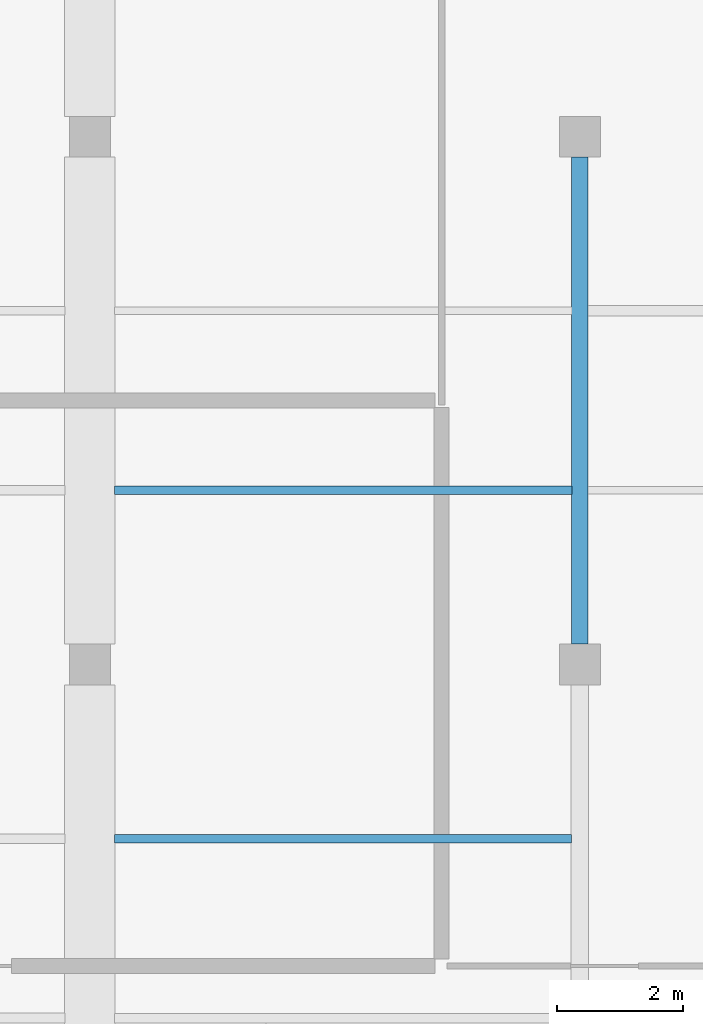
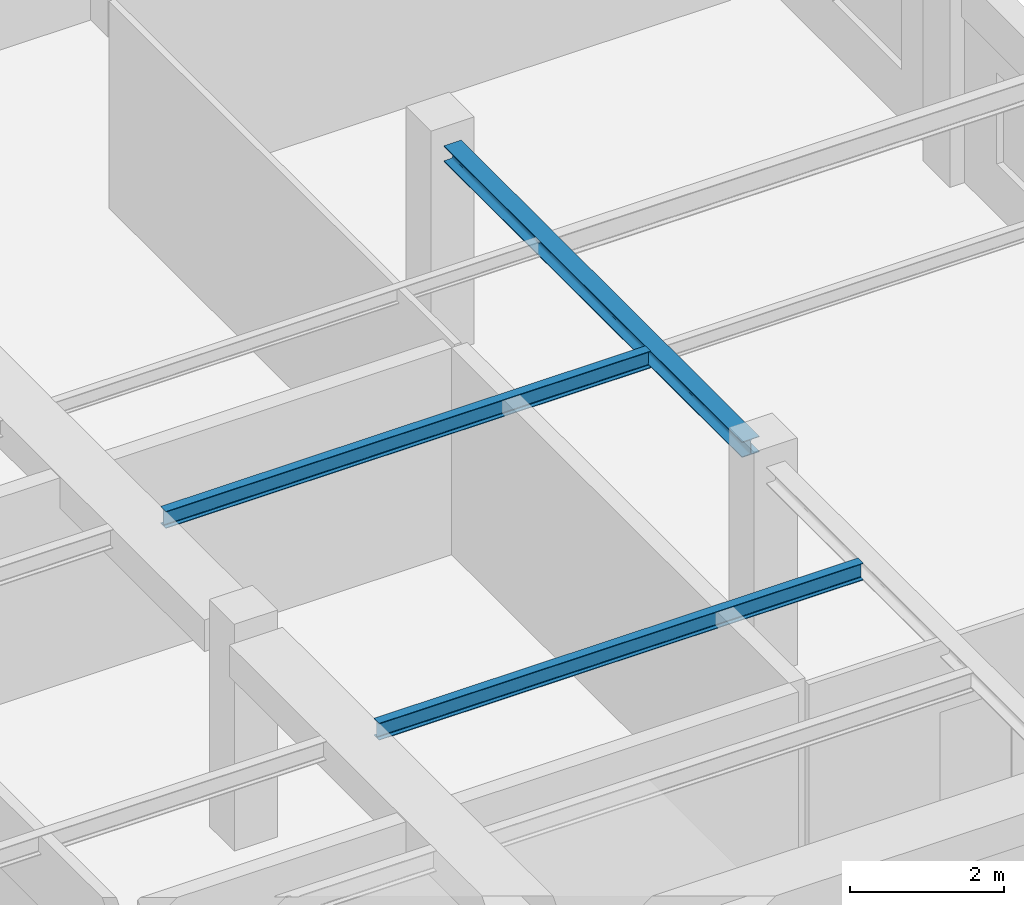
# One storey, part 10 of 49: 3 beams.
"""IFC4 building model written with IfcOpenShell, lengths in metres."""

from ifc_helpers import new_model, si_unit, direction, frame, origin, origin_2d, place, context, subcontext, project, spatial, i_section, extrude, material, material_profile, profile_set, type_object, element, save


model = new_model("IFC4")

# Units and contexts
model_context = context("Model", 3, precision=1e-05, world=origin(), true_north=direction((0.0, 1.0)))
body_context = subcontext(model_context, "Body", "Model", "MODEL_VIEW")
ifc_project = project(units=[si_unit("LENGTHUNIT", "METRE"), si_unit("AREAUNIT", "SQUARE_METRE"), si_unit("VOLUMEUNIT", "CUBIC_METRE"), si_unit("PLANEANGLEUNIT", "RADIAN"), si_unit("MASSUNIT", "GRAM", prefix="KILO"), si_unit("THERMODYNAMICTEMPERATUREUNIT", "KELVIN"), si_unit("POWERUNIT", "WATT")], contexts=[model_context])

# Site, building, storey
site_placement = place(None, origin())
site = spatial("IfcSite", under=ifc_project, at=site_placement, CompositionType="ELEMENT")
building_placement = place(site_placement, origin())
building = spatial("IfcBuilding", under=site, at=building_placement, Name="Srebrne Nadtorze General Hospital", CompositionType="ELEMENT")
storey_placement = place(building_placement, frame((0.0, 0.0, 26.10009765625)))
storey = spatial("IfcBuildingStorey", under=building, at=storey_placement, Name="L06", CompositionType="ELEMENT", Elevation=26.10009765625)

# Beams
ifc_material_1 = material(Name="Steel S355J2", Category="steel")
ifc_material_profile_1 = material_profile(ifc_material_1, i_section(OverallWidth=0.260009765625, OverallDepth=0.25, WebThickness=0.007568359375, FlangeThickness=0.012451171875, FilletRadius=0.02392578125, at=origin_2d()), Name="HEA-260")
ifc_profile_set_1 = profile_set([ifc_material_profile_1], Name="Steel S355J2")
beam_type_1 = type_object("IfcBeamType", Name="Primary beam HEA 260", PredefinedType="BEAM", material=ifc_profile_set_1)
beam_1_placement = place(storey_placement, frame((46.800048828125, 59.125, 3.1748046875), z_axis=(0.0, 1.0, 0.0), x_axis=(-1.0, 0.0, 0.0)))
element("IfcBeam", 1, at=beam_1_placement, inside=storey, type_object=beam_type_1, Name="Interstitial steel beam SB-L06-0099", PredefinedType="BEAM", context=body_context, shape_type="SweptSolid", body=[
    extrude(i_section(OverallWidth=0.260009765625, OverallDepth=0.25, WebThickness=0.007568359375, FlangeThickness=0.012451171875, FilletRadius=0.02392578125, at=origin_2d()), origin(), (0.0, 0.0, 1.0), 7.75),
])
ifc_material_2 = material(Name="Steel S355J2", Category="steel")
ifc_material_profile_2 = material_profile(ifc_material_2, i_section(OverallWidth=0.135009765625, OverallDepth=0.27001953125, WebThickness=0.006591796875, FlangeThickness=0.01025390625, FilletRadius=0.014892578125, at=origin_2d()), Name="IPE-270")
ifc_profile_set_2 = profile_set([ifc_material_profile_2], Name="Steel S355J2")
beam_type_2 = type_object("IfcBeamType", Name="Secondary joist IPE 270", PredefinedType="JOIST", material=ifc_profile_set_2)
beam_2_placement = place(storey_placement, frame((39.39501953125, 56.028076171875, 3.164794921875), z_axis=(1.0, 0.0, 0.0), x_axis=(0.0, 1.0, 0.0)))
element("IfcBeam", 2, at=beam_2_placement, inside=storey, type_object=beam_type_2, Name="Interstitial deck joist SJ-L06-0121", PredefinedType="JOIST", context=body_context, shape_type="SweptSolid", body=[
    extrude(i_section(OverallWidth=0.135009765625, OverallDepth=0.27001953125, WebThickness=0.006591796875, FlangeThickness=0.01025390625, FilletRadius=0.014892578125, at=origin_2d()), origin(), (0.0, 0.0, 1.0), 7.27001953125),
])
beam_3_placement = place(storey_placement, frame((39.39501953125, 61.572021484375, 3.164794921875), z_axis=(1.0, 0.0, 0.0), x_axis=(0.0, 1.0, 0.0)))
element("IfcBeam", 3, at=beam_3_placement, inside=storey, type_object=beam_type_2, Name="Interstitial deck joist SJ-L06-0122", PredefinedType="JOIST", context=body_context, shape_type="SweptSolid", body=[
    extrude(i_section(OverallWidth=0.135009765625, OverallDepth=0.27001953125, WebThickness=0.006591796875, FlangeThickness=0.01025390625, FilletRadius=0.014892578125, at=origin_2d()), origin(), (0.0, 0.0, 1.0), 7.280029296875),
])

save(model, "model.ifc")
